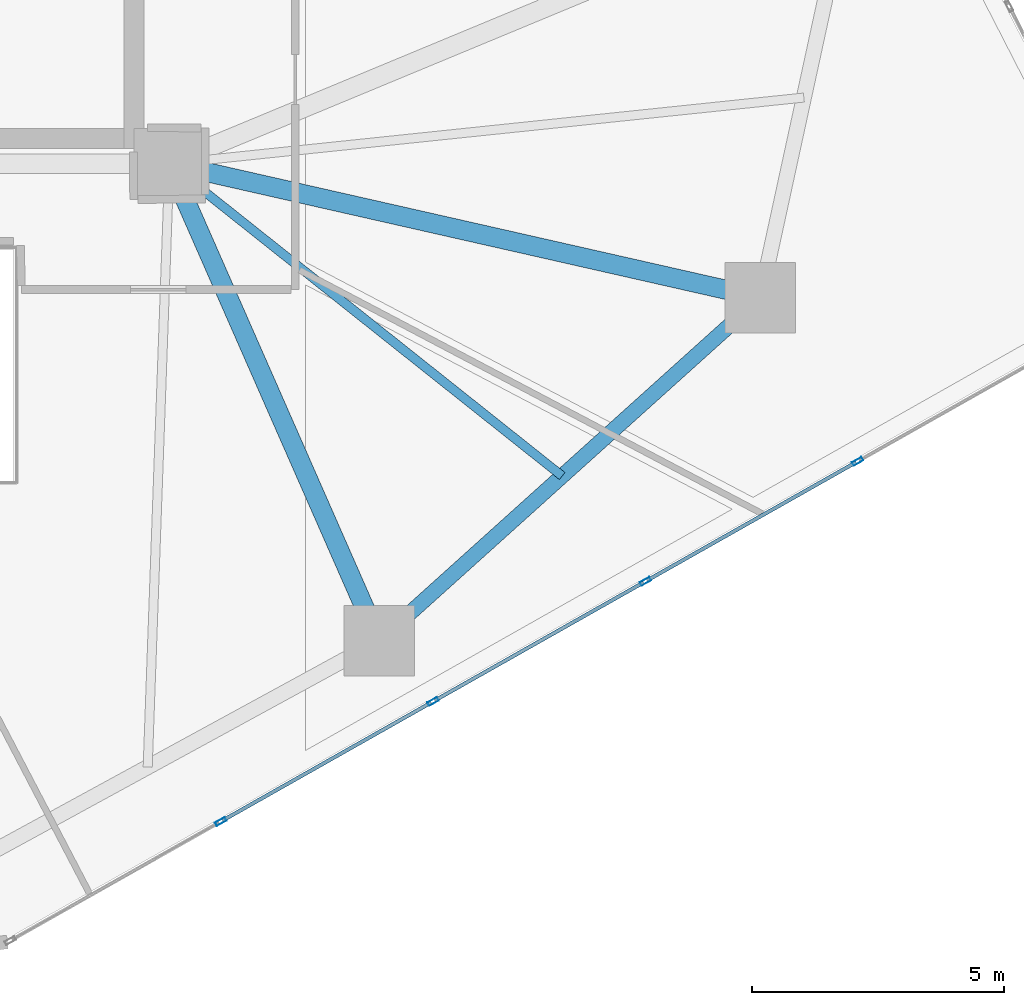
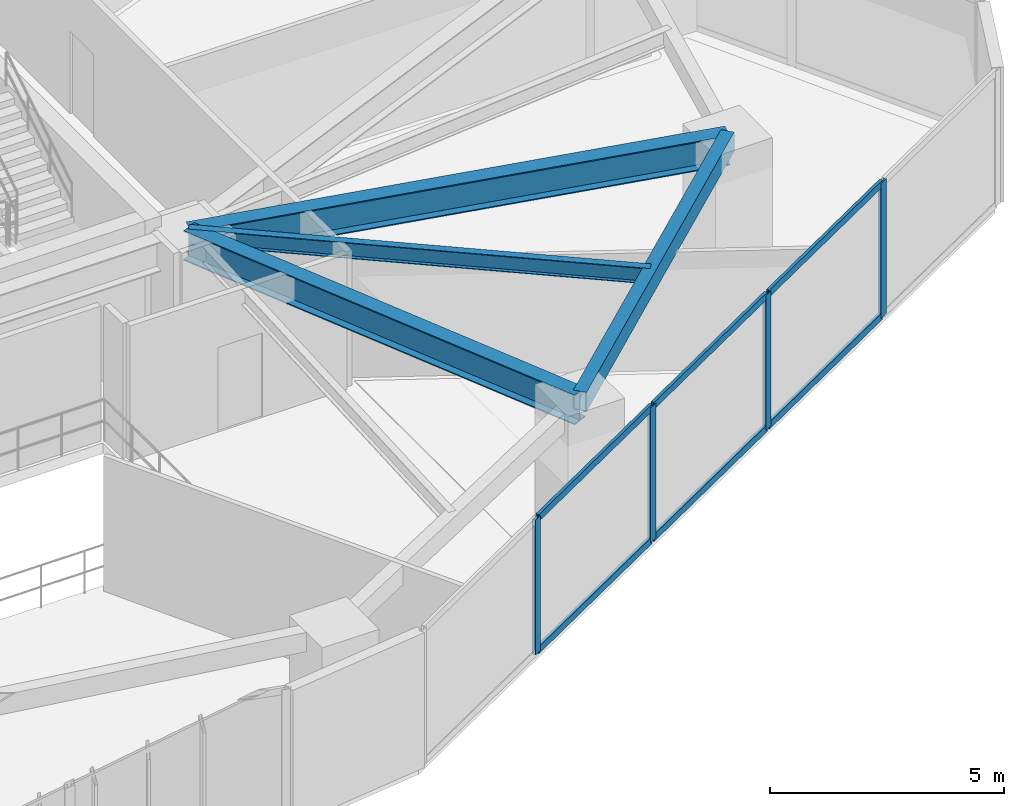
# One storey, part 9 of 23: 10 members, 4 beams, 1 element without a shape of its own.
"""IFC4 building model written with IfcOpenShell, lengths in metres."""

from ifc_helpers import new_model, si_unit, direction, frame, origin, origin_2d, place, context, subcontext, project, spatial, hollow_rectangle, i_section, extrude, source, transform, mapped, material, layer, layer_set, material_profile, profile_set, type_object, type_shapes, element, aggregate, save


model = new_model("IFC4")

# Units and contexts
model_context = context("Model", 3, precision=1e-05, world=origin(), true_north=direction((0.0, 1.0)))
body_context = subcontext(model_context, "Body", "Model", "MODEL_VIEW")
ifc_project = project(units=[si_unit("LENGTHUNIT", "METRE"), si_unit("AREAUNIT", "SQUARE_METRE"), si_unit("VOLUMEUNIT", "CUBIC_METRE"), si_unit("PLANEANGLEUNIT", "RADIAN"), si_unit("MASSUNIT", "GRAM", prefix="KILO")], contexts=[model_context])

# Site, building, storey
site_placement = place(None, origin())
site = spatial("IfcSite", under=ifc_project, at=site_placement, CompositionType="ELEMENT")
building_placement = place(site_placement, origin())
building = spatial("IfcBuilding", under=site, at=building_placement, Name="Talar Marvaseh", CompositionType="ELEMENT")
storey_placement = place(building_placement, frame((0.0, 0.0, 46.800048828125)))
storey = spatial("IfcBuildingStorey", under=building, at=storey_placement, Name="L11", CompositionType="ELEMENT", Elevation=46.800048828125)

# Beams
ifc_material_1 = material(Name="Steel S355", Category="steel")
ifc_material_profile_1 = material_profile(ifc_material_1, hollow_rectangle(XDim=0.300048828125, YDim=0.5, WallThickness=0.02001953125, at=origin_2d()), Name="RHS500x300x20")
ifc_profile_set_1 = profile_set([ifc_material_profile_1], Name="Steel S355")
beam_type_1 = type_object("IfcBeamType", Name="Zone 1 Perimeter Spandrel Beam RHS500x300x20", PredefinedType="SPANDREL", material=ifc_profile_set_1)
beam_1_placement = place(storey_placement, frame((45.0439453125, 22.840087890625, 3.27001953125), z_axis=(-0.743257224494, -0.669005753516, 0.0), x_axis=(0.669005753516, -0.743257224494, 0.0)))
element("IfcBeam", 1, at=beam_1_placement, inside=storey, type_object=beam_type_1, Name="L11 Zone 1 Perimeter Spandrel Beam RHS500x300x20", PredefinedType="SPANDREL", context=body_context, shape_type="SweptSolid", body=[
    extrude(hollow_rectangle(XDim=0.300048828125, YDim=0.5, WallThickness=0.02001953125, at=origin_2d()), origin(), (0.0, 0.0, 1.0), 10.19287109375),
])
ifc_material_profile_2 = material_profile(ifc_material_1, i_section(OverallWidth=0.381103515625, OverallDepth=0.77294921875, WebThickness=0.0166015625, FlangeThickness=0.027099609375, at=origin_2d()), Name="W760x257")
ifc_profile_set_2 = profile_set([ifc_material_profile_2], Name="Steel S355")
beam_type_2 = type_object("IfcBeamType", Name="Zone 1 Radial Floor Girder W760x257", PredefinedType="BEAM", material=ifc_profile_set_2)
beam_2_placement = place(storey_placement, frame((45.0439453125, 22.840087890625, 3.133544921875), z_axis=(-0.975296900374, 0.220898067263, 0.0), x_axis=(-0.220898067263, -0.975296900374, 0.0)))
element("IfcBeam", 2, at=beam_2_placement, inside=storey, type_object=beam_type_2, Name="L11 Zone 1 Radial Floor Girder W760x257", PredefinedType="BEAM", context=body_context, shape_type="SweptSolid", body=[
    extrude(i_section(OverallWidth=0.381103515625, OverallDepth=0.77294921875, WebThickness=0.0166015625, FlangeThickness=0.027099609375, at=origin_2d()), origin(), (0.0, 0.0, 1.0), 12.041259765625),
])
beam_3_placement = place(storey_placement, frame((37.468017578125, 16.02099609375, 3.133544921875), z_axis=(-0.402512625991, 0.915414433969, 0.0), x_axis=(-0.915414433969, -0.402512625991, 0.0)))
element("IfcBeam", 3, at=beam_3_placement, inside=storey, type_object=beam_type_2, Name="L11 Zone 1 Radial Floor Girder W760x257", PredefinedType="BEAM", context=body_context, shape_type="SweptSolid", body=[
    extrude(i_section(OverallWidth=0.381103515625, OverallDepth=0.77294921875, WebThickness=0.0166015625, FlangeThickness=0.027099609375, at=origin_2d()), origin(), (0.0, 0.0, 1.0), 10.35498046875),
])
ifc_material_profile_3 = material_profile(ifc_material_1, i_section(OverallWidth=0.179931640625, OverallDepth=0.4130859375, WebThickness=0.009765625, FlangeThickness=0.01611328125, at=origin_2d()), Name="W410x75")
ifc_profile_set_3 = profile_set([ifc_material_profile_3], Name="Steel S355")
beam_type_3 = type_object("IfcBeamType", Name="Zone 1 Secondary Floor Joist W410x75", PredefinedType="JOIST", material=ifc_profile_set_3)
beam_4_placement = place(storey_placement, frame((41.1044921875, 19.294189453125, 3.3134765625), z_axis=(-0.782711925261, 0.622384159546, 0.0), x_axis=(-0.622384159546, -0.782711925261, 0.0)))
element("IfcBeam", 4, at=beam_4_placement, inside=storey, type_object=beam_type_3, Name="L11 Zone 1 Secondary Floor Joist W410x75", PredefinedType="JOIST", context=body_context, shape_type="SweptSolid", body=[
    extrude(i_section(OverallWidth=0.179931640625, OverallDepth=0.4130859375, WebThickness=0.009765625, FlangeThickness=0.01611328125, at=origin_2d()), origin(), (0.0, 0.0, 1.0), 9.970947265625),
])

# Curtain wall, members
ifc_material_2 = material(Name="Architectural Aluminium", Category="aluminium")
ifc_layer = layer(ifc_material_2, 0.219970703125)
ifc_layer_set = layer_set([ifc_layer], Name="Architectural Aluminium")
curtain_wall_type = type_object("IfcCurtainWallType", Name="Unitised Low-E Museum Curtain Wall Z1", PredefinedType="NOTDEFINED", material=ifc_layer_set)
curtain_wall_placement = place(storey_placement, origin())
curtain_wall = element("IfcCurtainWall", 5, at=curtain_wall_placement, inside=storey, type_object=curtain_wall_type, Name="L11 Unitised Low-E Museum Curtain Wall Z1", PredefinedType="NOTDEFINED")
ifc_material_profile_4 = material_profile(ifc_material_2, hollow_rectangle(XDim=0.080078125, YDim=0.219970703125, WallThickness=0.0048828125, at=origin_2d()), Name="RHS220x80x5")
ifc_profile_set_4 = profile_set([ifc_material_profile_4], Name="Architectural Aluminium")
member_type_1 = type_object("IfcMemberType", Name="Unitised Curtain Wall Heavy Mullion RHS220x80x5", PredefinedType="MULLION", material=ifc_profile_set_4)
shared_shape_1 = source(origin(), body_context, "Body", "SweptSolid", [
    extrude(hollow_rectangle(XDim=0.080078125, YDim=0.219970703125, WallThickness=0.0048828125, at=origin_2d()), origin(), (0.0, 0.0, 1.0), 3.52001953125),
])
type_shapes(member_type_1, [shared_shape_1])
member_1_placement = place(storey_placement, frame((46.97412109375, 19.5859375, 0.0), z_axis=(0.0, 0.0, 1.0), x_axis=(0.492290771695, -0.870430810636, 0.0)))
member_1 = element("IfcMember", 6, at=member_1_placement, type_object=member_type_1, Name="CW-Z1 mullion 2", PredefinedType="MULLION", context=body_context, shape_type="MappedRepresentation", body=[
    mapped(shared_shape_1, transform((0.0, 0.0, 0.0), x_axis=(1.0, 0.0, 0.0), y_axis=(0.0, 1.0, 0.0), z_axis=(0.0, 0.0, 1.0), scale=1.0)),
])
member_2_placement = place(storey_placement, frame((42.756591796875, 17.20068359375, 0.0), z_axis=(0.0, 0.0, 1.0), x_axis=(0.492290771695, -0.870430810636, 0.0)))
member_2 = element("IfcMember", 7, at=member_2_placement, type_object=member_type_1, Name="CW-Z1 mullion 3", PredefinedType="MULLION", context=body_context, shape_type="MappedRepresentation", body=[
    mapped(shared_shape_1, transform((0.0, 0.0, 0.0), x_axis=(1.0, 0.0, 0.0), y_axis=(0.0, 1.0, 0.0), z_axis=(0.0, 0.0, 1.0), scale=1.0)),
])
member_3_placement = place(storey_placement, frame((38.5390625, 14.8154296875, 0.0), z_axis=(0.0, 0.0, 1.0), x_axis=(0.492290771695, -0.870430810636, 0.0)))
member_3 = element("IfcMember", 8, at=member_3_placement, type_object=member_type_1, Name="CW-Z1 mullion 4", PredefinedType="MULLION", context=body_context, shape_type="MappedRepresentation", body=[
    mapped(shared_shape_1, transform((0.0, 0.0, 0.0), x_axis=(1.0, 0.0, 0.0), y_axis=(0.0, 1.0, 0.0), z_axis=(0.0, 0.0, 1.0), scale=1.0)),
])
member_4_placement = place(storey_placement, frame((34.321533203125, 12.429931640625, 0.0), z_axis=(0.0, 0.0, 1.0), x_axis=(0.492290771695, -0.870430810636, 0.0)))
member_4 = element("IfcMember", 9, at=member_4_placement, type_object=member_type_1, Name="CW-Z1 mullion 5", PredefinedType="MULLION", context=body_context, shape_type="MappedRepresentation", body=[
    mapped(shared_shape_1, transform((0.0, 0.0, 0.0), x_axis=(1.0, 0.0, 0.0), y_axis=(0.0, 1.0, 0.0), z_axis=(0.0, 0.0, 1.0), scale=1.0)),
])
ifc_material_profile_5 = material_profile(ifc_material_2, hollow_rectangle(XDim=0.074951171875, YDim=0.179931640625, WallThickness=0.0048828125, at=origin_2d()), Name="RHS180x75x5")
ifc_profile_set_5 = profile_set([ifc_material_profile_5], Name="Architectural Aluminium")
member_type_2 = type_object("IfcMemberType", Name="Unitised Curtain Wall Transom RHS180x75x5", PredefinedType="USERDEFINED", material=ifc_profile_set_5)
shared_shape_2 = source(origin(), body_context, "Body", "SweptSolid", [
    extrude(hollow_rectangle(XDim=0.074951171875, YDim=0.179931640625, WallThickness=0.0048828125, at=origin_2d()), origin(), (0.0, 0.0, 1.0), 4.765380859375),
])
type_shapes(member_type_2, [shared_shape_2])
member_5_placement = place(storey_placement, frame((46.939208984375, 19.56640625, 0.037353515625), z_axis=(-0.8704320856, -0.492288517394, 0.0), x_axis=(0.492288517394, -0.8704320856, 0.0)))
member_5 = element("IfcMember", 10, at=member_5_placement, type_object=member_type_2, Name="CW-Z1 transom 2.1", ObjectType="TRANSOM", PredefinedType="USERDEFINED", context=body_context, shape_type="MappedRepresentation", body=[
    mapped(shared_shape_2, transform((0.0, 0.0, 0.0), x_axis=(1.0, 0.0, 0.0), y_axis=(0.0, 1.0, 0.0), z_axis=(0.0, 0.0, 1.0), scale=1.0)),
])
member_6_placement = place(storey_placement, frame((46.939208984375, 19.56640625, 3.482421875), z_axis=(-0.8704320856, -0.492288517394, 0.0), x_axis=(0.492288517394, -0.8704320856, 0.0)))
member_6 = element("IfcMember", 11, at=member_6_placement, type_object=member_type_2, Name="CW-Z1 transom 2.2", ObjectType="TRANSOM", PredefinedType="USERDEFINED", context=body_context, shape_type="MappedRepresentation", body=[
    mapped(shared_shape_2, transform((0.0, 0.0, 0.0), x_axis=(1.0, 0.0, 0.0), y_axis=(0.0, 1.0, 0.0), z_axis=(0.0, 0.0, 1.0), scale=1.0)),
])
member_7_placement = place(storey_placement, frame((42.7216796875, 17.180908203125, 0.037353515625), z_axis=(-0.8704320856, -0.492288517394, 0.0), x_axis=(0.492288517394, -0.8704320856, 0.0)))
member_7 = element("IfcMember", 12, at=member_7_placement, type_object=member_type_2, Name="CW-Z1 transom 3.1", ObjectType="TRANSOM", PredefinedType="USERDEFINED", context=body_context, shape_type="MappedRepresentation", body=[
    mapped(shared_shape_2, transform((0.0, 0.0, 0.0), x_axis=(1.0, 0.0, 0.0), y_axis=(0.0, 1.0, 0.0), z_axis=(0.0, 0.0, 1.0), scale=1.0)),
])
member_8_placement = place(storey_placement, frame((42.7216796875, 17.180908203125, 3.482421875), z_axis=(-0.8704320856, -0.492288517394, 0.0), x_axis=(0.492288517394, -0.8704320856, 0.0)))
member_8 = element("IfcMember", 13, at=member_8_placement, type_object=member_type_2, Name="CW-Z1 transom 3.2", ObjectType="TRANSOM", PredefinedType="USERDEFINED", context=body_context, shape_type="MappedRepresentation", body=[
    mapped(shared_shape_2, transform((0.0, 0.0, 0.0), x_axis=(1.0, 0.0, 0.0), y_axis=(0.0, 1.0, 0.0), z_axis=(0.0, 0.0, 1.0), scale=1.0)),
])
member_9_placement = place(storey_placement, frame((38.504150390625, 14.795654296875, 0.037353515625), z_axis=(-0.8704320856, -0.492288517394, 0.0), x_axis=(0.492288517394, -0.8704320856, 0.0)))
member_9 = element("IfcMember", 14, at=member_9_placement, type_object=member_type_2, Name="CW-Z1 transom 4.1", ObjectType="TRANSOM", PredefinedType="USERDEFINED", context=body_context, shape_type="MappedRepresentation", body=[
    mapped(shared_shape_2, transform((0.0, 0.0, 0.0), x_axis=(1.0, 0.0, 0.0), y_axis=(0.0, 1.0, 0.0), z_axis=(0.0, 0.0, 1.0), scale=1.0)),
])
member_10_placement = place(storey_placement, frame((38.504150390625, 14.795654296875, 3.482421875), z_axis=(-0.8704320856, -0.492288517394, 0.0), x_axis=(0.492288517394, -0.8704320856, 0.0)))
member_10 = element("IfcMember", 15, at=member_10_placement, type_object=member_type_2, Name="CW-Z1 transom 4.2", ObjectType="TRANSOM", PredefinedType="USERDEFINED", context=body_context, shape_type="MappedRepresentation", body=[
    mapped(shared_shape_2, transform((0.0, 0.0, 0.0), x_axis=(1.0, 0.0, 0.0), y_axis=(0.0, 1.0, 0.0), z_axis=(0.0, 0.0, 1.0), scale=1.0)),
])
aggregate(curtain_wall, [member_1, member_2, member_3, member_4, member_5, member_6, member_7, member_8, member_9, member_10])

save(model, "model.ifc")
